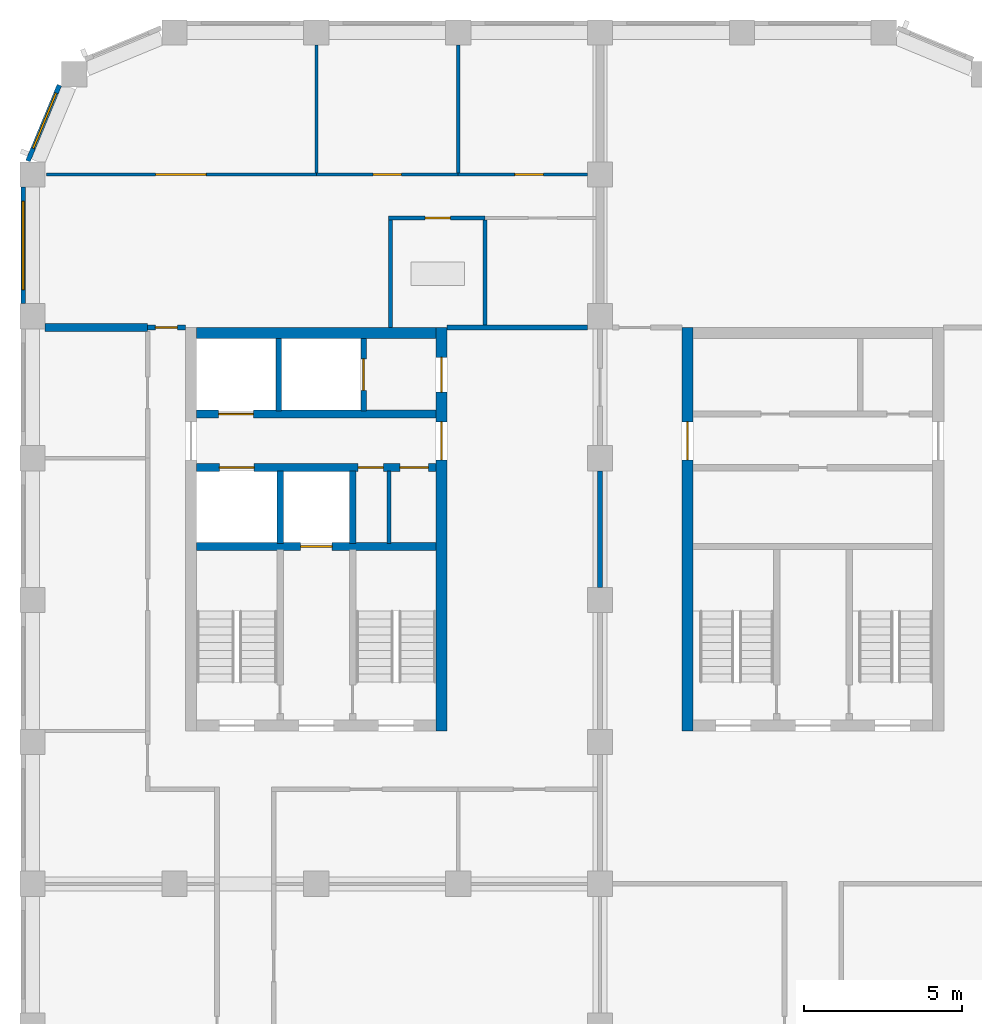
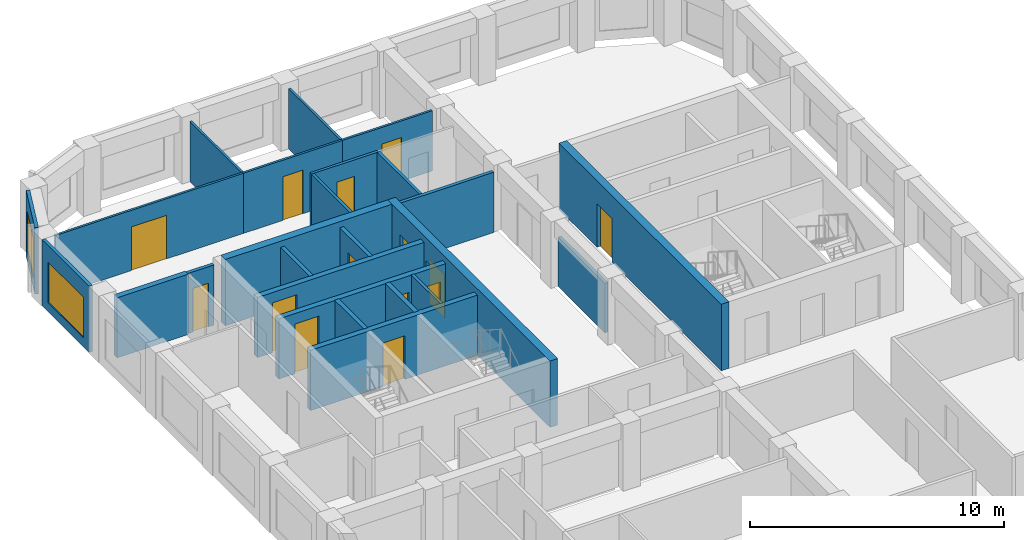
# One storey, part 5 of 9: 25 walls, 14 doors, 2 windows, 16 openings.
"""IFC4 building model written with IfcOpenShell, lengths in metres."""

from ifc_helpers import new_model, si_unit, direction, frame, frame_2d, origin, place, context, subcontext, project, spatial, rectangle, extrude, material, layer, layer_set, type_object, element, fill, save


model = new_model("IFC4")

# Units and contexts
model_context = context("Model", 3, precision=1e-05, world=origin(), true_north=direction((0.0, 1.0)))
body_context = subcontext(model_context, "Body", "Model", "MODEL_VIEW")
ifc_project = project(units=[si_unit("LENGTHUNIT", "METRE"), si_unit("AREAUNIT", "SQUARE_METRE"), si_unit("VOLUMEUNIT", "CUBIC_METRE"), si_unit("PLANEANGLEUNIT", "RADIAN"), si_unit("MASSUNIT", "GRAM", prefix="KILO")], contexts=[model_context])

# Site, building, storey
site_placement = place(None, origin())
site = spatial("IfcSite", under=ifc_project, at=site_placement, CompositionType="ELEMENT")
building_placement = place(site_placement, origin())
building = spatial("IfcBuilding", under=site, at=building_placement, Name="Girih Gate Residences", CompositionType="ELEMENT")
storey_placement = place(building_placement, frame((0.0, 0.0, 185.89990234375)))
storey = spatial("IfcBuildingStorey", under=building, at=storey_placement, Name="L51", CompositionType="ELEMENT", Elevation=185.89990234375)

# Walls
ifc_material_1 = material(Name="Gypsum board on steel studs", Category="steel")
ifc_layer_1 = layer(ifc_material_1, 0.25)
ifc_layer_set_1 = layer_set([ifc_layer_1], Name="Acoustic separating wall 250 mm")
wall_type_1 = type_object("IfcWallType", Name="Acoustic separating wall 250 mm", PredefinedType="PARTITIONING", material=ifc_layer_set_1)
wall_1_placement = place(storey_placement, frame((0.39990234375, 40.14990234375, 0.0), z_axis=(0.0, 0.0, 1.0), x_axis=(1.0, 0.0, 0.0)))
element("IfcWall", 1, at=wall_1_placement, inside=storey, type_object=wall_type_1, Name="L51 partition", PredefinedType="PARTITIONING", context=body_context, shape_type="SweptSolid", body=[
    extrude(rectangle(XDim=3.25, YDim=0.25, at=frame_2d((1.625, 0.0))), origin(), (0.0, 0.0, 1.0), 2.900146484375),
])
ifc_layer_2 = layer(ifc_material_1, 0.14990234375)
ifc_layer_set_2 = layer_set([ifc_layer_2], Name="Compartment wall 150 mm")
wall_type_2 = type_object("IfcWallType", Name="Compartment wall 150 mm", PredefinedType="PARTITIONING", material=ifc_layer_set_2)
wall_2_placement = place(storey_placement, frame((13.14990234375, 40.14990234375, 0.0), z_axis=(0.0, 0.0, 1.0), x_axis=(1.0, 0.0, 0.0)))
element("IfcWall", 2, at=wall_2_placement, inside=storey, type_object=wall_type_2, Name="L51 partition", PredefinedType="PARTITIONING", context=body_context, shape_type="SweptSolid", body=[
    extrude(rectangle(XDim=4.4501953125, YDim=0.14990234375, at=frame_2d((2.22509765625, 0.0))), origin(), (0.0, 0.0, 1.0), 2.900146484375),
])

# Wall, opening, door
wall_3_placement = place(storey_placement, frame((3.64990234375, 40.14990234375, 0.0), z_axis=(0.0, 0.0, 1.0), x_axis=(1.0, 0.0, 0.0)))
wall_3 = element("IfcWall", 3, at=wall_3_placement, inside=storey, type_object=wall_type_2, Name="L51 partition", PredefinedType="PARTITIONING", context=body_context, shape_type="SweptSolid", body=[
    extrude(rectangle(XDim=1.2001953125, YDim=0.14990234375, at=frame_2d((0.60009765625, 0.0))), origin(), (0.0, 0.0, 1.0), 2.900146484375),
])
opening_1_placement = place(wall_3_placement, frame((0.239990234375, 0.0, 0.0)))
opening_1 = element("IfcOpeningElement", 4, at=opening_1_placement, cuts=wall_3, Name="Opening A51-012", PredefinedType="OPENING", context=body_context, shape_type="SweptSolid", body=[
    extrude(rectangle(XDim=0.699951171875, YDim=2.10009765625, at=frame_2d((0.35009765625, 1.050048828125))), frame((0.0, 0.0849609375, 0.0), z_axis=(0.0, -1.0, 0.0), x_axis=(1.0, 0.0, 0.0)), (0.0, 0.0, 1.0), 0.169921875),
])
ifc_material_2 = material(Name="Timber", Category="wood")
door_type_1 = type_object("IfcDoorType", Name="Narrow door 700x2100", OperationType="NOTDEFINED", PredefinedType="DOOR", material=ifc_material_2)
door_1_placement = place(opening_1_placement, origin())
door_1 = element("IfcDoor", 5, at=door_1_placement, inside=storey, type_object=door_type_1, Name="Door A51-012", OperationType="SINGLE_SWING_LEFT", OverallHeight=2.10009765625, OverallWidth=0.699951171875, PredefinedType="DOOR", context=body_context, shape_type="SweptSolid", body=[
    extrude(rectangle(XDim=0.699951171875, YDim=2.10009765625, at=frame_2d((0.35009765625, 1.050048828125))), frame((0.0, 0.02490234375, 0.0), z_axis=(0.0, -1.0, 0.0), x_axis=(1.0, 0.0, 0.0)), (0.0, 0.0, 1.0), 0.050048828125),
])
fill(opening_1, door_1)

# Walls
wall_4_placement = place(storey_placement, frame((18.0, 31.89990234375, 0.0), z_axis=(0.0, 0.0, 1.0), x_axis=(0.0, 1.0, 0.0)))
element("IfcWall", 6, at=wall_4_placement, inside=storey, type_object=wall_type_2, Name="L51 partition", PredefinedType="PARTITIONING", context=body_context, shape_type="SweptSolid", body=[
    extrude(rectangle(XDim=3.7001953125, YDim=0.14990234375, at=frame_2d((1.85009765625, 0.0))), origin(), (0.0, 0.0, 1.0), 2.380126953125),
])
ifc_material_3 = material(Name="Concrete C60/75", Category="concrete")
ifc_layer_3 = layer(ifc_material_3, 0.35009765625)
ifc_layer_set_3 = layer_set([ifc_layer_3], Name="Core wall RC 350 Concrete C60/75")
wall_type_3 = type_object("IfcWallType", Name="Core wall RC 350 Concrete C60/75", PredefinedType="SOLIDWALL", material=ifc_layer_set_3)
wall_5_placement = place(storey_placement, frame((5.199951171875, 39.97509765625, 0.0), z_axis=(0.0, 0.0, 1.0), x_axis=(1.0, 0.0, 0.0)))
element("IfcWall", 7, at=wall_5_placement, inside=storey, type_object=wall_type_3, Name="Core wall W-N L51", PredefinedType="SOLIDWALL", context=body_context, shape_type="SweptSolid", body=[
    extrude(rectangle(XDim=7.60009765625, YDim=0.35009765625, at=frame_2d((3.800048828125, 0.0))), origin(), (0.0, 0.0, 1.0), 3.2001953125),
])

# Wall, openings, doors
wall_6_placement = place(storey_placement, frame((12.97509765625, 27.35009765625, 0.0), z_axis=(0.0, 0.0, 1.0), x_axis=(0.0, 1.0, 0.0)))
wall_6 = element("IfcWall", 8, at=wall_6_placement, inside=storey, type_object=wall_type_3, Name="Core wall W-E L51", PredefinedType="SOLIDWALL", context=body_context, shape_type="SweptSolid", body=[
    extrude(rectangle(XDim=12.7998046875, YDim=0.35009765625, at=frame_2d((6.39990234375, 0.0))), origin(), (0.0, 0.0, 1.0), 3.2001953125),
])
opening_2_placement = place(wall_6_placement, frame((10.75, 0.0, 0.0)))
opening_2 = element("IfcOpeningElement", 9, at=opening_2_placement, cuts=wall_6, Name="Opening D-L51-W-012", PredefinedType="OPENING", context=body_context, shape_type="SweptSolid", body=[
    extrude(rectangle(XDim=1.10009765625, YDim=2.10009765625, at=frame_2d((0.550048828125, 1.050048828125))), frame((0.0, 0.18505859375, 0.0), z_axis=(0.0, -1.0, 0.0), x_axis=(1.0, 0.0, 0.0)), (0.0, 0.0, 1.0), 0.3701171875),
])
opening_3_placement = place(wall_6_placement, frame((8.60009765625, 0.0, 0.0)))
opening_3 = element("IfcOpeningElement", 10, at=opening_3_placement, cuts=wall_6, Name="Opening D-L51-W-014", PredefinedType="OPENING", context=body_context, shape_type="SweptSolid", body=[
    extrude(rectangle(XDim=1.199951171875, YDim=2.10009765625, at=frame_2d((0.60009765625, 1.050048828125))), frame((0.0, 0.18505859375, 0.0), z_axis=(0.0, -1.0, 0.0), x_axis=(1.0, 0.0, 0.0)), (0.0, 0.0, 1.0), 0.3701171875),
])
ifc_material_4 = material(Name="Painted steel, fire-resisting", Category="steel")
door_type_2 = type_object("IfcDoorType", Name="Fire door 1100x2100", OperationType="SINGLE_SWING_LEFT", PredefinedType="DOOR", material=ifc_material_4)
door_2_placement = place(opening_2_placement, origin())
door_2 = element("IfcDoor", 11, at=door_2_placement, inside=storey, type_object=door_type_2, Name="L51 W core door ffl2-e", OperationType="SINGLE_SWING_LEFT", OverallHeight=2.10009765625, OverallWidth=1.10009765625, PredefinedType="DOOR", context=body_context, shape_type="SweptSolid", body=[
    extrude(rectangle(XDim=1.10009765625, YDim=2.10009765625, at=frame_2d((0.550048828125, 1.050048828125))), frame((0.0, 0.02490234375, 0.0), z_axis=(0.0, -1.0, 0.0), x_axis=(1.0, 0.0, 0.0)), (0.0, 0.0, 1.0), 0.050048828125),
])
fill(opening_2, door_2)
door_type_3 = type_object("IfcDoorType", Name="Fire door 1200x2100", OperationType="SINGLE_SWING_LEFT", PredefinedType="DOOR", material=ifc_material_4)
door_3_placement = place(opening_3_placement, origin())
door_3 = element("IfcDoor", 12, at=door_3_placement, inside=storey, type_object=door_type_3, Name="L51 W core door ll-e", OperationType="SINGLE_SWING_LEFT", OverallHeight=2.10009765625, OverallWidth=1.199951171875, PredefinedType="DOOR", context=body_context, shape_type="SweptSolid", body=[
    extrude(rectangle(XDim=1.199951171875, YDim=2.10009765625, at=frame_2d((0.60009765625, 1.050048828125))), frame((0.0, 0.02490234375, 0.0), z_axis=(0.0, -1.0, 0.0), x_axis=(1.0, 0.0, 0.0)), (0.0, 0.0, 1.0), 0.050048828125),
])
fill(opening_3, door_3)

# Wall, opening, door
ifc_material_5 = material(Name="Concrete C40/50", Category="concrete")
ifc_layer_4 = layer(ifc_material_5, 0.25)
ifc_layer_set_4 = layer_set([ifc_layer_4], Name="Lift shaft wall 250")
wall_type_4 = type_object("IfcWallType", Name="Lift shaft wall 250", PredefinedType="SOLIDWALL", material=ifc_layer_set_4)
wall_7_placement = place(storey_placement, frame((5.199951171875, 33.199951171875, 0.0), z_axis=(0.0, 0.0, 1.0), x_axis=(1.0, 0.0, 0.0)))
wall_7 = element("IfcWall", 13, at=wall_7_placement, inside=storey, type_object=wall_type_4, Name="L51 W core wall H1", PredefinedType="SOLIDWALL", context=body_context, shape_type="SweptSolid", body=[
    extrude(rectangle(XDim=7.60009765625, YDim=0.25, at=frame_2d((3.800048828125, 0.0))), origin(), (0.0, 0.0, 1.0), 2.900146484375),
])
opening_4_placement = place(wall_7_placement, frame((3.300048828125, 0.0, 0.0)))
opening_4 = element("IfcOpeningElement", 14, at=opening_4_placement, cuts=wall_7, Name="Opening D-L51-W-006", PredefinedType="OPENING", context=body_context, shape_type="SweptSolid", body=[
    extrude(rectangle(XDim=1.0, YDim=2.10009765625, at=frame_2d((0.5, 1.050048828125))), frame((0.0, 0.135009765625, 0.0), z_axis=(0.0, -1.0, 0.0), x_axis=(1.0, 0.0, 0.0)), (0.0, 0.0, 1.0), 0.27001953125),
])
ifc_material_6 = material(Name="Stainless steel, fire-resisting", Category="steel")
door_type_4 = type_object("IfcDoorType", Name="Firefighting lift landing door 1000x2100", OperationType="SLIDING_TO_LEFT", PredefinedType="DOOR", material=ifc_material_6)
door_4_placement = place(opening_4_placement, origin())
door_4 = element("IfcDoor", 15, at=door_4_placement, inside=storey, type_object=door_type_4, Name="L51 lift FF-W landing door", OperationType="SLIDING_TO_LEFT", OverallHeight=2.10009765625, OverallWidth=1.0, PredefinedType="DOOR", context=body_context, shape_type="SweptSolid", body=[
    extrude(rectangle(XDim=1.0, YDim=2.10009765625, at=frame_2d((0.5, 1.050048828125))), frame((0.0, 0.02490234375, 0.0), z_axis=(0.0, -1.0, 0.0), x_axis=(1.0, 0.0, 0.0)), (0.0, 0.0, 1.0), 0.050048828125),
])
fill(opening_4, door_4)

# Wall, openings, doors
wall_8_placement = place(storey_placement, frame((5.199951171875, 35.699951171875, 0.0), z_axis=(0.0, 0.0, 1.0), x_axis=(1.0, 0.0, 0.0)))
wall_8 = element("IfcWall", 16, at=wall_8_placement, inside=storey, type_object=wall_type_4, Name="L51 W core wall H2", PredefinedType="SOLIDWALL", context=body_context, shape_type="SweptSolid", body=[
    extrude(rectangle(XDim=7.60009765625, YDim=0.25, at=frame_2d((3.800048828125, 0.0))), origin(), (0.0, 0.0, 1.0), 2.900146484375),
])
opening_5_placement = place(wall_8_placement, frame((0.72509765625, 0.0, 0.0)))
opening_5 = element("IfcOpeningElement", 17, at=opening_5_placement, cuts=wall_8, Name="Opening D-L51-W-005", PredefinedType="OPENING", context=body_context, shape_type="SweptSolid", body=[
    extrude(rectangle(XDim=1.10009765625, YDim=2.39990234375, at=frame_2d((0.550048828125, 1.199951171875))), frame((0.0, 0.135009765625, 0.0), z_axis=(0.0, -1.0, 0.0), x_axis=(1.0, 0.0, 0.0)), (0.0, 0.0, 1.0), 0.27001953125),
])
opening_6_placement = place(wall_8_placement, frame((5.125, 0.0, 0.0)))
opening_6 = element("IfcOpeningElement", 18, at=opening_6_placement, cuts=wall_8, Name="Opening D-L51-W-007", PredefinedType="OPENING", context=body_context, shape_type="SweptSolid", body=[
    extrude(rectangle(XDim=0.800048828125, YDim=2.10009765625, at=frame_2d((0.39990234375, 1.050048828125))), frame((0.0, 0.135009765625, 0.0), z_axis=(0.0, -1.0, 0.0), x_axis=(1.0, 0.0, 0.0)), (0.0, 0.0, 1.0), 0.27001953125),
])
opening_7_placement = place(wall_8_placement, frame((6.449951171875, 0.0, 0.0)))
opening_7 = element("IfcOpeningElement", 19, at=opening_7_placement, cuts=wall_8, Name="Opening D-L51-W-008", PredefinedType="OPENING", context=body_context, shape_type="SweptSolid", body=[
    extrude(rectangle(XDim=0.89990234375, YDim=2.10009765625, at=frame_2d((0.449951171875, 1.050048828125))), frame((0.0, 0.135009765625, 0.0), z_axis=(0.0, -1.0, 0.0), x_axis=(1.0, 0.0, 0.0)), (0.0, 0.0, 1.0), 0.27001953125),
])
door_type_5 = type_object("IfcDoorType", Name="Fire door 800x2100", OperationType="SINGLE_SWING_LEFT", PredefinedType="DOOR", material=ifc_material_4)
door_5_placement = place(opening_6_placement, origin())
door_5 = element("IfcDoor", 20, at=door_5_placement, inside=storey, type_object=door_type_5, Name="L51 W maintenance store door", OperationType="SINGLE_SWING_LEFT", OverallHeight=2.10009765625, OverallWidth=0.800048828125, PredefinedType="DOOR", context=body_context, shape_type="SweptSolid", body=[
    extrude(rectangle(XDim=0.800048828125, YDim=2.10009765625, at=frame_2d((0.39990234375, 1.050048828125))), frame((0.0, 0.02490234375, 0.0), z_axis=(0.0, -1.0, 0.0), x_axis=(1.0, 0.0, 0.0)), (0.0, 0.0, 1.0), 0.050048828125),
])
fill(opening_6, door_5)
door_type_6 = type_object("IfcDoorType", Name="Fire door 900x2100", OperationType="SINGLE_SWING_LEFT", PredefinedType="DOOR", material=ifc_material_4)
door_6_placement = place(opening_7_placement, origin())
door_6 = element("IfcDoor", 21, at=door_6_placement, inside=storey, type_object=door_type_6, Name="L51 W electrical room door", OperationType="SINGLE_SWING_LEFT", OverallHeight=2.10009765625, OverallWidth=0.89990234375, PredefinedType="DOOR", context=body_context, shape_type="SweptSolid", body=[
    extrude(rectangle(XDim=0.89990234375, YDim=2.10009765625, at=frame_2d((0.449951171875, 1.050048828125))), frame((0.0, 0.02490234375, 0.0), z_axis=(0.0, -1.0, 0.0), x_axis=(1.0, 0.0, 0.0)), (0.0, 0.0, 1.0), 0.050048828125),
])
fill(opening_7, door_6)
ifc_material_7 = material(Name="Stainless steel", Category="steel")
door_type_7 = type_object("IfcDoorType", Name="Lift landing door 1100x2400", OperationType="SLIDING_TO_LEFT", PredefinedType="DOOR", material=ifc_material_7)
door_7_placement = place(opening_5_placement, origin())
door_7 = element("IfcDoor", 22, at=door_7_placement, inside=storey, type_object=door_type_7, Name="L51 lift HR-W1 landing door", OperationType="SLIDING_TO_LEFT", OverallHeight=2.39990234375, OverallWidth=1.10009765625, PredefinedType="DOOR", context=body_context, shape_type="SweptSolid", body=[
    extrude(rectangle(XDim=1.10009765625, YDim=2.39990234375, at=frame_2d((0.550048828125, 1.199951171875))), frame((0.0, 0.02490234375, 0.0), z_axis=(0.0, -1.0, 0.0), x_axis=(1.0, 0.0, 0.0)), (0.0, 0.0, 1.0), 0.050048828125),
])
fill(opening_5, door_7)

# Wall, opening, door
wall_9_placement = place(storey_placement, frame((5.199951171875, 37.39990234375, 0.0), z_axis=(0.0, 0.0, 1.0), x_axis=(1.0, 0.0, 0.0)))
wall_9 = element("IfcWall", 23, at=wall_9_placement, inside=storey, type_object=wall_type_4, Name="L51 W core wall H3", PredefinedType="SOLIDWALL", context=body_context, shape_type="SweptSolid", body=[
    extrude(rectangle(XDim=7.60009765625, YDim=0.25, at=frame_2d((3.800048828125, 0.0))), origin(), (0.0, 0.0, 1.0), 2.900146484375),
])
opening_8_placement = place(wall_9_placement, frame((0.699951171875, 0.0, 0.0)))
opening_8 = element("IfcOpeningElement", 24, at=opening_8_placement, cuts=wall_9, Name="Opening D-L51-W-003", PredefinedType="OPENING", context=body_context, shape_type="SweptSolid", body=[
    extrude(rectangle(XDim=1.10009765625, YDim=2.39990234375, at=frame_2d((0.550048828125, 1.199951171875))), frame((0.0, 0.135009765625, 0.0), z_axis=(0.0, -1.0, 0.0), x_axis=(1.0, 0.0, 0.0)), (0.0, 0.0, 1.0), 0.27001953125),
])
door_8_placement = place(opening_8_placement, origin())
door_8 = element("IfcDoor", 25, at=door_8_placement, inside=storey, type_object=door_type_7, Name="L51 lift LR-W1 landing door", OperationType="SLIDING_TO_LEFT", OverallHeight=2.39990234375, OverallWidth=1.10009765625, PredefinedType="DOOR", context=body_context, shape_type="SweptSolid", body=[
    extrude(rectangle(XDim=1.10009765625, YDim=2.39990234375, at=frame_2d((0.550048828125, 1.199951171875))), frame((0.0, 0.02490234375, 0.0), z_axis=(0.0, -1.0, 0.0), x_axis=(1.0, 0.0, 0.0)), (0.0, 0.0, 1.0), 0.050048828125),
])
fill(opening_8, door_8)

# Wall
ifc_layer_5 = layer(ifc_material_1, 0.10009765625)
ifc_layer_set_5 = layer_set([ifc_layer_5], Name="Partition 100 mm")
wall_type_5 = type_object("IfcWallType", Name="Partition 100 mm", PredefinedType="PARTITIONING", material=ifc_layer_set_5)
wall_10_placement = place(storey_placement, frame((13.5, 45.050048828125, 0.0), z_axis=(0.0, 0.0, 1.0), x_axis=(0.0, 1.0, 0.0)))
element("IfcWall", 26, at=wall_10_placement, inside=storey, type_object=wall_type_5, Name="L51 partition", PredefinedType="PARTITIONING", context=body_context, shape_type="SweptSolid", body=[
    extrude(rectangle(XDim=4.050048828125, YDim=0.10009765625, at=frame_2d((2.02490234375, 0.0))), origin(), (0.0, 0.0, 1.0), 2.900146484375),
])

# Wall, opening, door
wall_11_placement = place(storey_placement, frame((9.0, 45.0, 0.0), z_axis=(0.0, 0.0, 1.0), x_axis=(1.0, 0.0, 0.0)))
wall_11 = element("IfcWall", 27, at=wall_11_placement, inside=storey, type_object=wall_type_5, Name="L51 partition", PredefinedType="PARTITIONING", context=body_context, shape_type="SweptSolid", body=[
    extrude(rectangle(XDim=4.5, YDim=0.10009765625, at=frame_2d((2.25, 0.0))), origin(), (0.0, 0.0, 1.0), 2.900146484375),
])
opening_9_placement = place(wall_11_placement, frame((1.800048828125, 0.0, 0.0)))
opening_9 = element("IfcOpeningElement", 28, at=opening_9_placement, cuts=wall_11, Name="Opening A51-008", PredefinedType="OPENING", context=body_context, shape_type="SweptSolid", body=[
    extrude(rectangle(XDim=0.89990234375, YDim=2.10009765625, at=frame_2d((0.449951171875, 1.050048828125))), frame((0.0, 0.06005859375, 0.0), z_axis=(0.0, -1.0, 0.0), x_axis=(1.0, 0.0, 0.0)), (0.0, 0.0, 1.0), 0.1201171875),
])
door_type_8 = type_object("IfcDoorType", Name="Bedroom door 900x2100", OperationType="NOTDEFINED", PredefinedType="DOOR", material=ifc_material_2)
door_9_placement = place(opening_9_placement, origin())
door_9 = element("IfcDoor", 29, at=door_9_placement, inside=storey, type_object=door_type_8, Name="Door A51-008", OperationType="SINGLE_SWING_LEFT", OverallHeight=2.10009765625, OverallWidth=0.89990234375, PredefinedType="DOOR", context=body_context, shape_type="SweptSolid", body=[
    extrude(rectangle(XDim=0.89990234375, YDim=2.10009765625, at=frame_2d((0.449951171875, 1.050048828125))), frame((0.0, 0.02490234375, 0.0), z_axis=(0.0, -1.0, 0.0), x_axis=(1.0, 0.0, 0.0)), (0.0, 0.0, 1.0), 0.050048828125),
])
fill(opening_9, door_9)

# Wall
wall_12_placement = place(storey_placement, frame((9.0, 45.050048828125, 0.0), z_axis=(0.0, 0.0, 1.0), x_axis=(0.0, 1.0, 0.0)))
element("IfcWall", 30, at=wall_12_placement, inside=storey, type_object=wall_type_5, Name="L51 partition", PredefinedType="PARTITIONING", context=body_context, shape_type="SweptSolid", body=[
    extrude(rectangle(XDim=4.050048828125, YDim=0.10009765625, at=frame_2d((2.02490234375, 0.0))), origin(), (0.0, 0.0, 1.0), 2.900146484375),
])

# Wall, opening, door
wall_13_placement = place(storey_placement, frame((13.5, 45.0, 0.0), z_axis=(0.0, 0.0, 1.0), x_axis=(1.0, 0.0, 0.0)))
wall_13 = element("IfcWall", 31, at=wall_13_placement, inside=storey, type_object=wall_type_5, Name="L51 partition", PredefinedType="PARTITIONING", context=body_context, shape_type="SweptSolid", body=[
    extrude(rectangle(XDim=4.10009765625, YDim=0.10009765625, at=frame_2d((2.050048828125, 0.0))), origin(), (0.0, 0.0, 1.0), 2.900146484375),
])
opening_10_placement = place(wall_13_placement, frame((1.800048828125, 0.0, 0.0)))
opening_10 = element("IfcOpeningElement", 32, at=opening_10_placement, cuts=wall_13, Name="Opening A51-009", PredefinedType="OPENING", context=body_context, shape_type="SweptSolid", body=[
    extrude(rectangle(XDim=0.89990234375, YDim=2.10009765625, at=frame_2d((0.449951171875, 1.050048828125))), frame((0.0, 0.06005859375, 0.0), z_axis=(0.0, -1.0, 0.0), x_axis=(1.0, 0.0, 0.0)), (0.0, 0.0, 1.0), 0.1201171875),
])
door_10_placement = place(opening_10_placement, origin())
door_10 = element("IfcDoor", 33, at=door_10_placement, inside=storey, type_object=door_type_8, Name="Door A51-009", OperationType="SINGLE_SWING_RIGHT", OverallHeight=2.10009765625, OverallWidth=0.89990234375, PredefinedType="DOOR", context=body_context, shape_type="SweptSolid", body=[
    extrude(rectangle(XDim=0.89990234375, YDim=2.10009765625, at=frame_2d((0.449951171875, 1.050048828125))), frame((0.0, 0.02490234375, 0.0), z_axis=(0.0, -1.0, 0.0), x_axis=(1.0, 0.0, 0.0)), (0.0, 0.0, 1.0), 0.050048828125),
])
fill(opening_10, door_10)

wall_14_placement = place(storey_placement, frame((0.432861328125, 45.0, 0.0), z_axis=(0.0, 0.0, 1.0), x_axis=(1.0, 0.0, 0.0)))
wall_14 = element("IfcWall", 34, at=wall_14_placement, inside=storey, type_object=wall_type_5, Name="L51 partition", PredefinedType="PARTITIONING", context=body_context, shape_type="SweptSolid", body=[
    extrude(rectangle(XDim=8.567138671875, YDim=0.10009765625, at=frame_2d((4.28369140625, 0.0))), origin(), (0.0, 0.0, 1.0), 2.900146484375),
])
opening_11_placement = place(wall_14_placement, frame((3.467041015625, 0.0, 0.0)))
opening_11 = element("IfcOpeningElement", 35, at=opening_11_placement, cuts=wall_14, Name="Opening A51-011", PredefinedType="OPENING", context=body_context, shape_type="SweptSolid", body=[
    extrude(rectangle(XDim=1.60009765625, YDim=2.10009765625, at=frame_2d((0.800048828125, 1.050048828125))), frame((0.0, 0.06005859375, 0.0), z_axis=(0.0, -1.0, 0.0), x_axis=(1.0, 0.0, 0.0)), (0.0, 0.0, 1.0), 0.1201171875),
])
door_type_9 = type_object("IfcDoorType", Name="Double leaf door 1600x2100", OperationType="NOTDEFINED", PredefinedType="DOOR", material=ifc_material_2)
door_11_placement = place(opening_11_placement, origin())
door_11 = element("IfcDoor", 36, at=door_11_placement, inside=storey, type_object=door_type_9, Name="Door A51-011", OperationType="SINGLE_SWING_LEFT", OverallHeight=2.10009765625, OverallWidth=1.60009765625, PredefinedType="DOOR", context=body_context, shape_type="SweptSolid", body=[
    extrude(rectangle(XDim=1.60009765625, YDim=2.10009765625, at=frame_2d((0.800048828125, 1.050048828125))), frame((0.0, 0.02490234375, 0.0), z_axis=(0.0, -1.0, 0.0), x_axis=(1.0, 0.0, 0.0)), (0.0, 0.0, 1.0), 0.050048828125),
])
fill(opening_11, door_11)

# Wall, opening, window
ifc_material_8 = material(Name="Precast concrete C50/60", Category="concrete")
ifc_layer_6 = layer(ifc_material_8, 0.050048828125, Name="Outer leaf")
ifc_material_9 = material(Name="Rigid PIR insulation")
ifc_layer_7 = layer(ifc_material_9, 0.06005859375, Name="Insulation")
ifc_material_10 = material(Name="Precast concrete C40/50", Category="concrete")
ifc_layer_8 = layer(ifc_material_10, 0.0400390625, Name="Inner leaf")
ifc_layer_set_6 = layer_set([ifc_layer_6, ifc_layer_7, ifc_layer_8], Name="Precast concrete C50/60 external wall 150")
wall_type_6 = type_object("IfcWallType", Name="Precast concrete C50/60 external wall 150", PredefinedType="SOLIDWALL", material=ifc_layer_set_6)
wall_15_placement = place(storey_placement, frame((-0.147216796875, 45.4287109375, 0.0), z_axis=(0.0, 0.0, 1.0), x_axis=(0.382669406082, 0.923885342263, 0.0)))
wall_15 = element("IfcWall", 37, at=wall_15_placement, inside=storey, type_object=wall_type_6, Name="External wall NW0013_0482.0", PredefinedType="SOLIDWALL", context=body_context, shape_type="SweptSolid", body=[
    extrude(rectangle(XDim=2.602294921875, YDim=0.14990234375, at=frame_2d((1.30126953125, 0.0))), origin(), (0.0, 0.0, 1.0), 3.2001953125),
])
opening_12_placement = place(wall_15_placement, frame((0.432373046875, 0.0, 0.449951171875)))
opening_12 = element("IfcOpeningElement", 38, at=opening_12_placement, cuts=wall_15, Name="Opening W-2G", PredefinedType="OPENING", context=body_context, shape_type="SweptSolid", body=[
    extrude(rectangle(XDim=1.89990234375, YDim=1.949951171875, at=frame_2d((0.949951171875, 0.97509765625))), frame((0.0, 0.0849609375, 0.0), z_axis=(0.0, -1.0, 0.0), x_axis=(1.0, 0.0, 0.0)), (0.0, 0.0, 1.0), 0.169921875),
])
ifc_material_11 = material(Name="Double glazing in aluminium frame", Category="aluminium")
window_type_1 = type_object("IfcWindowType", Name="Window W-2G 1900x1950", PartitioningType="SINGLE_PANEL", PredefinedType="WINDOW", material=ifc_material_11)
window_1_placement = place(opening_12_placement, origin())
window_1 = element("IfcWindow", 39, at=window_1_placement, inside=storey, type_object=window_type_1, Name="Window W-2G NW0013_0482.0", OverallHeight=1.949951171875, OverallWidth=1.89990234375, PartitioningType="SINGLE_PANEL", PredefinedType="WINDOW", context=body_context, shape_type="SweptSolid", body=[
    extrude(rectangle(XDim=1.89990234375, YDim=1.949951171875, at=frame_2d((0.949951171875, 0.97509765625))), frame((0.0, 0.030029296875, 0.0), z_axis=(0.0, -1.0, 0.0), x_axis=(1.0, 0.0, 0.0)), (0.0, 0.0, 1.0), 0.06005859375),
])
fill(opening_12, window_1)

wall_16_placement = place(storey_placement, frame((-0.300048828125, 40.89990234375, 0.0), z_axis=(0.0, 0.0, 1.0), x_axis=(0.0, 1.0, 0.0)))
wall_16 = element("IfcWall", 40, at=wall_16_placement, inside=storey, type_object=wall_type_6, Name="External wall W0000_0450.0", PredefinedType="SOLIDWALL", context=body_context, shape_type="SweptSolid", body=[
    extrude(rectangle(XDim=3.7001953125, YDim=0.14990234375, at=frame_2d((1.85009765625, 0.0))), origin(), (0.0, 0.0, 1.0), 3.2001953125),
])
opening_13_placement = place(wall_16_placement, frame((0.449951171875, 0.0, 0.449951171875)))
opening_13 = element("IfcOpeningElement", 41, at=opening_13_placement, cuts=wall_16, Name="Opening W-1B", PredefinedType="OPENING", context=body_context, shape_type="SweptSolid", body=[
    extrude(rectangle(XDim=2.800048828125, YDim=1.949951171875, at=frame_2d((1.39990234375, 0.97509765625))), frame((0.0, 0.0849609375, 0.0), z_axis=(0.0, -1.0, 0.0), x_axis=(1.0, 0.0, 0.0)), (0.0, 0.0, 1.0), 0.169921875),
])
window_type_2 = type_object("IfcWindowType", Name="Window W-1B 2800x1950", PartitioningType="SINGLE_PANEL", PredefinedType="WINDOW", material=ifc_material_11)
window_2_placement = place(opening_13_placement, origin())
window_2 = element("IfcWindow", 42, at=window_2_placement, inside=storey, type_object=window_type_2, Name="Window W-1B W0000_0450.0", OverallHeight=1.949951171875, OverallWidth=2.800048828125, PartitioningType="SINGLE_PANEL", PredefinedType="WINDOW", context=body_context, shape_type="SweptSolid", body=[
    extrude(rectangle(XDim=2.800048828125, YDim=1.949951171875, at=frame_2d((1.39990234375, 0.97509765625))), frame((0.0, 0.030029296875, 0.0), z_axis=(0.0, -1.0, 0.0), x_axis=(1.0, 0.0, 0.0)), (0.0, 0.0, 1.0), 0.06005859375),
])
fill(opening_13, window_2)

# Wall
ifc_layer_9 = layer(ifc_material_5, 0.175048828125)
ifc_layer_set_7 = layer_set([ifc_layer_9], Name="Riser shaft wall 175")
wall_type_7 = type_object("IfcWallType", Name="Riser shaft wall 175", PredefinedType="SOLIDWALL", material=ifc_layer_set_7)
wall_17_placement = place(storey_placement, frame((7.800048828125, 37.5, 0.0), z_axis=(0.0, 0.0, 1.0), x_axis=(0.0, 1.0, 0.0)))
element("IfcWall", 43, at=wall_17_placement, inside=storey, type_object=wall_type_7, Name="L51 W core wall V1c", PredefinedType="SOLIDWALL", context=body_context, shape_type="SweptSolid", body=[
    extrude(rectangle(XDim=2.300048828125, YDim=0.175048828125, at=frame_2d((1.14990234375, 0.0))), origin(), (0.0, 0.0, 1.0), 2.900146484375),
])

# Wall, opening, door
wall_18_placement = place(storey_placement, frame((10.5, 37.5, 0.0), z_axis=(0.0, 0.0, 1.0), x_axis=(0.0, 1.0, 0.0)))
wall_18 = element("IfcWall", 44, at=wall_18_placement, inside=storey, type_object=wall_type_7, Name="L51 W core wall V2c", PredefinedType="SOLIDWALL", context=body_context, shape_type="SweptSolid", body=[
    extrude(rectangle(XDim=2.300048828125, YDim=0.175048828125, at=frame_2d((1.14990234375, 0.0))), origin(), (0.0, 0.0, 1.0), 2.900146484375),
])
opening_14_placement = place(wall_18_placement, frame((0.64990234375, 0.0, 0.0)))
opening_14 = element("IfcOpeningElement", 45, at=opening_14_placement, cuts=wall_18, Name="Opening D-L51-W-004", PredefinedType="OPENING", context=body_context, shape_type="SweptSolid", body=[
    extrude(rectangle(XDim=1.0, YDim=2.10009765625, at=frame_2d((0.5, 1.050048828125))), frame((0.0, 0.097412109375, 0.0), z_axis=(0.0, -1.0, 0.0), x_axis=(1.0, 0.0, 0.0)), (0.0, 0.0, 1.0), 0.195068359375),
])
door_12_placement = place(opening_14_placement, origin())
door_12 = element("IfcDoor", 46, at=door_12_placement, inside=storey, type_object=door_type_4, Name="L51 lift FF-W2 landing door", OperationType="SLIDING_TO_LEFT", OverallHeight=2.10009765625, OverallWidth=1.0, PredefinedType="DOOR", context=body_context, shape_type="SweptSolid", body=[
    extrude(rectangle(XDim=1.0, YDim=2.10009765625, at=frame_2d((0.5, 1.050048828125))), frame((0.0, 0.02490234375, 0.0), z_axis=(0.0, -1.0, 0.0), x_axis=(1.0, 0.0, 0.0)), (0.0, 0.0, 1.0), 0.050048828125),
])
fill(opening_14, door_12)

# Walls
ifc_layer_10 = layer(ifc_material_5, 0.199951171875)
ifc_layer_set_8 = layer_set([ifc_layer_10], Name="Shaft wall 200")
wall_type_8 = type_object("IfcWallType", Name="Shaft wall 200", PredefinedType="SOLIDWALL", material=ifc_layer_set_8)
for number, where, z_axis, x_axis, name in (
    (47, (7.85009765625, 33.300048828125, 0.0), (0.0, 0.0, 1.0), (0.0, 1.0, 0.0), "L51 W core wall V1b"),
    (48, (10.14990234375, 33.300048828125, 0.0), (0.0, 0.0, 1.0), (0.0, 1.0, 0.0), "L51 W core wall V2b"),
):
    element("IfcWall", number, at=place(storey_placement, frame(where, z_axis=z_axis, x_axis=x_axis)), inside=storey, type_object=wall_type_8, Name=name, PredefinedType="SOLIDWALL", context=body_context, shape_type="SweptSolid", body=[
        extrude(rectangle(XDim=2.300048828125, YDim=0.199951171875, at=frame_2d((1.14990234375, 0.0))), origin(), (0.0, 0.0, 1.0), 2.900146484375),
    ])

# Wall, opening, door
ifc_layer_11 = layer(ifc_material_5, 0.35009765625)
ifc_layer_set_9 = layer_set([ifc_layer_11], Name="Stair core wall RC 350 Concrete C40/50")
wall_type_9 = type_object("IfcWallType", Name="Stair core wall RC 350 Concrete C40/50", PredefinedType="SOLIDWALL", material=ifc_layer_set_9)
wall_19_placement = place(storey_placement, frame((20.77490234375, 27.35009765625, 0.0), z_axis=(0.0, 0.0, 1.0), x_axis=(0.0, 1.0, 0.0)))
wall_19 = element("IfcWall", 49, at=wall_19_placement, inside=storey, type_object=wall_type_9, Name="Stair core wall C-W L51", PredefinedType="SOLIDWALL", context=body_context, shape_type="SweptSolid", body=[
    extrude(rectangle(XDim=12.7998046875, YDim=0.35009765625, at=frame_2d((6.39990234375, 0.0))), origin(), (0.0, 0.0, 1.0), 3.2001953125),
])
opening_15_placement = place(wall_19_placement, frame((8.60009765625, 0.0, 0.0)))
opening_15 = element("IfcOpeningElement", 50, at=opening_15_placement, cuts=wall_19, Name="Opening D-L51-C-009", PredefinedType="OPENING", context=body_context, shape_type="SweptSolid", body=[
    extrude(rectangle(XDim=1.199951171875, YDim=2.10009765625, at=frame_2d((0.60009765625, 1.050048828125))), frame((0.0, 0.18505859375, 0.0), z_axis=(0.0, -1.0, 0.0), x_axis=(1.0, 0.0, 0.0)), (0.0, 0.0, 1.0), 0.3701171875),
])
door_13_placement = place(opening_15_placement, origin())
door_13 = element("IfcDoor", 51, at=door_13_placement, inside=storey, type_object=door_type_3, Name="L51 C core door ll-w", OperationType="SINGLE_SWING_LEFT", OverallHeight=2.10009765625, OverallWidth=1.199951171875, PredefinedType="DOOR", context=body_context, shape_type="SweptSolid", body=[
    extrude(rectangle(XDim=1.199951171875, YDim=2.10009765625, at=frame_2d((0.60009765625, 1.050048828125))), frame((0.0, 0.02490234375, 0.0), z_axis=(0.0, -1.0, 0.0), x_axis=(1.0, 0.0, 0.0)), (0.0, 0.0, 1.0), 0.050048828125),
])
fill(opening_15, door_13)

# Walls
ifc_material_12 = material(Name="Calcium silicate blockwork", Category="masonry")
ifc_layer_12 = layer(ifc_material_12, 0.125)
ifc_layer_set_10 = layer_set([ifc_layer_12], Name="Store partition 125")
wall_type_10 = type_object("IfcWallType", Name="Store partition 125", PredefinedType="PARTITIONING", material=ifc_layer_set_10)
wall_20_placement = place(storey_placement, frame((11.300048828125, 33.300048828125, 0.0), z_axis=(0.0, 0.0, 1.0), x_axis=(0.0, 1.0, 0.0)))
element("IfcWall", 52, at=wall_20_placement, inside=storey, type_object=wall_type_10, Name="L51 W core wall SHR2", PredefinedType="PARTITIONING", context=body_context, shape_type="SweptSolid", body=[
    extrude(rectangle(XDim=2.300048828125, YDim=0.125, at=frame_2d((1.14990234375, 0.0))), origin(), (0.0, 0.0, 1.0), 2.900146484375),
])
ifc_layer_13 = layer(ifc_material_1, 0.125)
ifc_layer_set_11 = layer_set([ifc_layer_13], Name="Wet room wall 125 mm")
wall_type_11 = type_object("IfcWallType", Name="Wet room wall 125 mm", PredefinedType="PARTITIONING", material=ifc_layer_set_11)
wall_21_placement = place(storey_placement, frame((11.35009765625, 40.14990234375, 0.0), z_axis=(0.0, 0.0, 1.0), x_axis=(0.0, 1.0, 0.0)))
element("IfcWall", 53, at=wall_21_placement, inside=storey, type_object=wall_type_11, Name="L51 partition", PredefinedType="PARTITIONING", context=body_context, shape_type="SweptSolid", body=[
    extrude(rectangle(XDim=3.40771484375, YDim=0.125, at=frame_2d((1.703857421875, 0.0))), origin(), (0.0, 0.0, 1.0), 2.900146484375),
])

# Wall, opening, door
wall_22_placement = place(storey_placement, frame((14.350341796875, 43.6201171875, 0.0), z_axis=(0.0, 0.0, 1.0), x_axis=(-1.0, 0.0, 0.0)))
wall_22 = element("IfcWall", 54, at=wall_22_placement, inside=storey, type_object=wall_type_11, Name="L51 partition", PredefinedType="PARTITIONING", context=body_context, shape_type="SweptSolid", body=[
    extrude(rectangle(XDim=3.062744140625, YDim=0.125, at=frame_2d((1.53125, 0.0))), origin(), (0.0, 0.0, 1.0), 2.900146484375),
])
opening_16_placement = place(wall_22_placement, frame((1.10009765625, 0.0, 0.0)))
opening_16 = element("IfcOpeningElement", 55, at=opening_16_placement, cuts=wall_22, Name="Opening A51-007", PredefinedType="OPENING", context=body_context, shape_type="SweptSolid", body=[
    extrude(rectangle(XDim=0.800048828125, YDim=2.10009765625, at=frame_2d((0.39990234375, 1.050048828125))), frame((0.0, 0.072509765625, 0.0), z_axis=(0.0, -1.0, 0.0), x_axis=(1.0, 0.0, 0.0)), (0.0, 0.0, 1.0), 0.14501953125),
])
door_type_10 = type_object("IfcDoorType", Name="Bathroom door 800x2100", OperationType="NOTDEFINED", PredefinedType="DOOR", material=ifc_material_2)
door_14_placement = place(opening_16_placement, origin())
door_14 = element("IfcDoor", 56, at=door_14_placement, inside=storey, type_object=door_type_10, Name="Door A51-007", OperationType="SINGLE_SWING_LEFT", OverallHeight=2.10009765625, OverallWidth=0.800048828125, PredefinedType="DOOR", context=body_context, shape_type="SweptSolid", body=[
    extrude(rectangle(XDim=0.800048828125, YDim=2.10009765625, at=frame_2d((0.39990234375, 1.050048828125))), frame((0.0, 0.02490234375, 0.0), z_axis=(0.0, -1.0, 0.0), x_axis=(1.0, 0.0, 0.0)), (0.0, 0.0, 1.0), 0.050048828125),
])
fill(opening_16, door_14)

# Wall
wall_23_placement = place(storey_placement, frame((14.35009765625, 40.22509765625, 0.0), z_axis=(0.0, 0.0, 1.0), x_axis=(0.0, 1.0, 0.0)))
element("IfcWall", 57, at=wall_23_placement, inside=storey, type_object=wall_type_11, Name="L51 partition", PredefinedType="PARTITIONING", context=body_context, shape_type="SweptSolid", body=[
    extrude(rectangle(XDim=3.33251953125, YDim=0.125, at=frame_2d((1.666259765625, 0.0))), origin(), (0.0, 0.0, 1.0), 2.900146484375),
])

save(model, "model.ifc")
